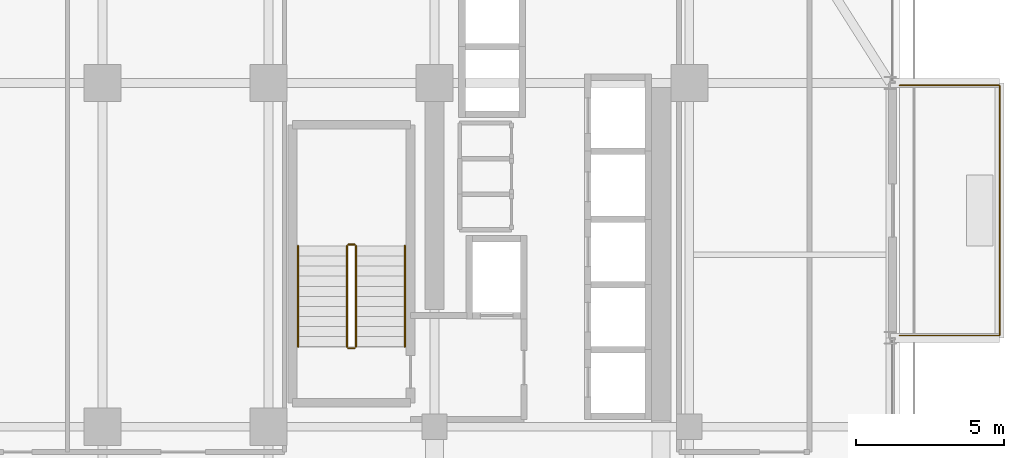
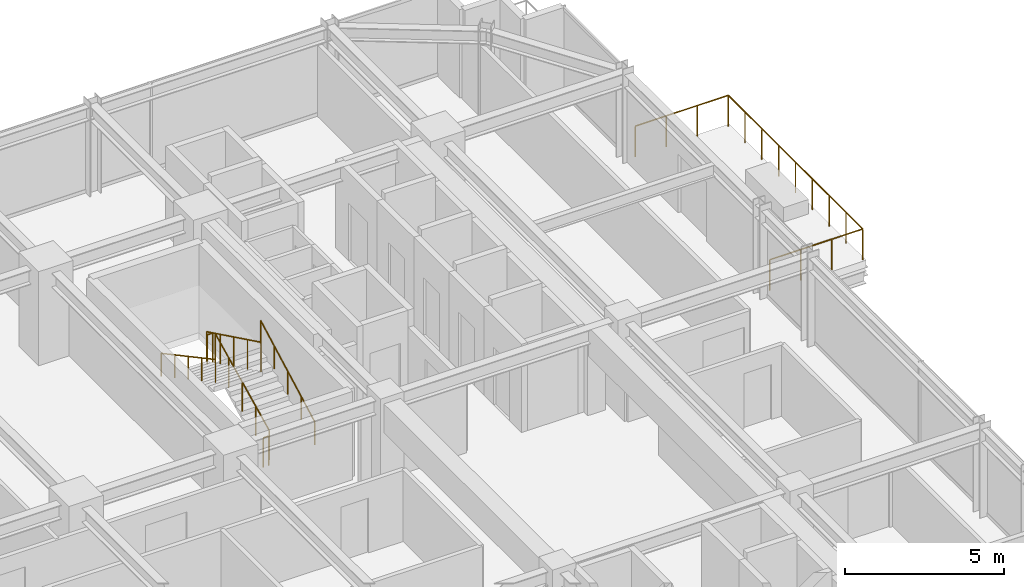
# One storey, part 33 of 34: 7 railings.
"""IFC4 building model written with IfcOpenShell, lengths in metres."""

import ifcopenshell
import ifcopenshell.guid

model = None  # the IFC model being written
_history = None  # IfcOwnerHistory: only IFC2X3 demands one
_inside = {}  # id of a spatial element -> (the spatial element, [elements in it])
_under = {}  # id of a project, library or spatial element -> (it, [spatial elements below it])
_declared = {}  # id of a project -> (the project, [libraries it declares])
_typed = {}  # id of a type object -> (the type object, [elements of that type])
_made_of = {}  # id of a material, layer set ... -> (it, [elements and type objects made of it])


def new_model(schema):
    """Start an empty IFC model of exactly this schema.

    Asked for "IFC4X3", IfcOpenShell would pick the latest addendum, in which some entities
    have other attributes; the version numbers below select the first issue.
    IFC2X3 requires an IfcOwnerHistory on every rooted entity: one is made here for all.
    """
    global model, _history
    if schema == "IFC4X3":
        model = ifcopenshell.file(schema_version=(4, 3, 0, 0))
    else:
        model = ifcopenshell.file(schema=schema)
    _inside.clear()
    _under.clear()
    _declared.clear()
    _typed.clear()
    _made_of.clear()
    _history = None
    if model.schema == "IFC2X3":
        org = make("IfcOrganization", Name="unknown")
        user = make(
            "IfcPersonAndOrganization",
            ThePerson=make("IfcPerson", FamilyName="unknown"),
            TheOrganization=org,
        )
        app = make(
            "IfcApplication",
            ApplicationDeveloper=org,
            Version="unknown",
            ApplicationFullName="unknown",
            ApplicationIdentifier="unknown",
        )
        _history = make(
            "IfcOwnerHistory",
            OwningUser=user,
            OwningApplication=app,
            ChangeAction="ADDED",
            CreationDate=0,
        )
    return model


def make(cls, **values):
    """One entity of the class cls with the attributes given. An attribute that is None is left unset."""
    return model.create_entity(
        cls, **{name: value for name, value in values.items() if value is not None}
    )


def rooted(cls, **values):
    """An entity with a GlobalId (a new one), such as an element, a storey or a relation."""
    return make(cls, GlobalId=ifcopenshell.guid.new(), OwnerHistory=_history, **values)


def si_unit(unit_type, name, prefix=None):
    """IfcSIUnit, for example si_unit("LENGTHUNIT", "METRE", prefix="MILLI")."""
    return make("IfcSIUnit", UnitType=unit_type, Prefix=prefix, Name=name)


def assignment(units):
    """IfcUnitAssignment: the units of a project."""
    return None if units is None else make("IfcUnitAssignment", Units=units)


def point(xyz):
    """IfcCartesianPoint."""
    return None if xyz is None else make("IfcCartesianPoint", Coordinates=xyz)


def direction(xyz):
    """IfcDirection."""
    return None if xyz is None else make("IfcDirection", DirectionRatios=xyz)


def frame(location, z_axis=None, x_axis=None):
    """IfcAxis2Placement3D, a coordinate frame: its origin and axes. An axis left out is left unset."""
    return make(
        "IfcAxis2Placement3D",
        Location=point(location),
        Axis=direction(z_axis),
        RefDirection=direction(x_axis),
    )


def frame_2d(location, x_axis=None):
    """IfcAxis2Placement2D, a coordinate frame in the plane: its origin and x axis."""
    return make(
        "IfcAxis2Placement2D", Location=point(location), RefDirection=direction(x_axis)
    )


def origin():
    """The frame at (0, 0, 0) with its axes left unset."""
    return frame((0.0, 0.0, 0.0))


def origin_2d():
    """The frame at (0, 0) in the plane with its x axis left unset."""
    return frame_2d((0.0, 0.0))


def place(relative_to, where):
    """IfcLocalPlacement: puts the frame where relative to a parent placement (None: the world)."""
    return make(
        "IfcLocalPlacement", PlacementRelTo=relative_to, RelativePlacement=where
    )


def context(
    kind, dimensions, precision=None, world=None, true_north=None, identifier=None
):
    """IfcGeometricRepresentationContext, for example the 3D "Model" context."""
    return make(
        "IfcGeometricRepresentationContext",
        ContextIdentifier=identifier,
        ContextType=kind,
        CoordinateSpaceDimension=dimensions,
        Precision=precision,
        WorldCoordinateSystem=world,
        TrueNorth=true_north,
    )


def subcontext(parent, identifier, kind, view, scale=None):
    """IfcGeometricRepresentationSubContext, for example "Body" below "Model"."""
    return make(
        "IfcGeometricRepresentationSubContext",
        ContextIdentifier=identifier,
        ContextType=kind,
        ParentContext=parent,
        TargetScale=scale,
        TargetView=view,
    )


def project(units=None, contexts=None):
    """IfcProject with its units and contexts."""
    return rooted(
        "IfcProject",
        Name="project",
        RepresentationContexts=contexts,
        UnitsInContext=assignment(units),
    )


def spatial(cls, under=None, at=None, **own):
    """A site, building, storey or space (cls), placed at a placement, below another one or the project."""
    s = rooted(cls, ObjectPlacement=at, **own)
    if under is not None:
        _under.setdefault(under.id(), (under, []))[1].append(s)
    return s


def profile(cls, at=None, kind="AREA", **sizes):
    """A parametric profile (cls). Its sizes go by their IFC names, for example OverallWidth=200.0."""
    return make(cls, ProfileType=kind, Position=at, **sizes)


def circle(**sizes):
    """IfcCircleProfileDef."""
    return profile("IfcCircleProfileDef", **sizes)


def extrude(swept, where, along, depth):
    """IfcExtrudedAreaSolid: the profile swept, set in the frame where, extruded along a direction by depth."""
    return make(
        "IfcExtrudedAreaSolid",
        SweptArea=swept,
        Position=where,
        ExtrudedDirection=direction(along),
        Depth=depth,
    )


def shape(context_of_items, identifier, shape_type, items):
    """IfcShapeRepresentation: the items that make up one representation, for example the "Body"."""
    return make(
        "IfcShapeRepresentation",
        ContextOfItems=context_of_items,
        RepresentationIdentifier=identifier,
        RepresentationType=shape_type,
        Items=items,
    )


def material(Name=None, Category=None):
    """IfcMaterial."""
    return make("IfcMaterial", Name=Name, Category=Category)


def made_of(thing, what):
    """Note that an element or type object is made of a material, layer set ...; save() writes the relation."""
    if what is not None:
        _made_of.setdefault(what.id(), (what, []))[1].append(thing)
    return thing


def type_object(cls, material=None, **own):
    """A type object (cls), such as IfcWallType, which elements share."""
    return made_of(rooted(cls, **own), material)


def element(
    cls,
    number,
    at=None,
    inside=None,
    cuts=None,
    type_object=None,
    material=None,
    context=None,
    identifier="Body",
    shape_type=None,
    held_by="IfcProductDefinitionShape",
    body=None,
    shapes=None,
    **own,
):
    """One element of the class cls, such as IfcWall. Its Tag is "e" and its number.

    at: its placement. inside: the storey or other place that contains it. cuts: it is an
    opening in that element (IfcRelVoidsElement). A single representation is given by context,
    identifier, shape_type and body (its items); several are given by shapes. held_by: the class
    of the entity that holds the representations. save() writes the other relations.
    """
    e = rooted(cls, Tag="e%d" % number, ObjectPlacement=at, **own)
    if body is not None:
        shapes = [shape(context, identifier, shape_type, body)]
    if shapes is not None:
        e.Representation = make(held_by, Representations=shapes)
    if inside is not None:
        _inside.setdefault(inside.id(), (inside, []))[1].append(e)
    if cuts is not None:
        rooted(
            "IfcRelVoidsElement", RelatingBuildingElement=cuts, RelatedOpeningElement=e
        )
    if type_object is not None:
        _typed.setdefault(type_object.id(), (type_object, []))[1].append(e)
    return made_of(e, material)


def aggregate(whole, parts):
    """IfcRelAggregates: a whole, such as a stair, and the parts it consists of."""
    return rooted("IfcRelAggregates", RelatingObject=whole, RelatedObjects=parts)


def save(model, path):
    """Write the relations noted so far, then the file.

    IfcRelAggregates (storeys below a building ...), IfcRelContainedInSpatialStructure (elements
    in a storey), IfcRelDefinesByType, IfcRelAssociatesMaterial and IfcRelDeclares: one each for
    every whole, place, type object, material and project.
    """
    for whole, parts in _under.values():
        aggregate(whole, parts)
    for where, things in _inside.values():
        rooted(
            "IfcRelContainedInSpatialStructure",
            RelatedElements=things,
            RelatingStructure=where,
        )
    for kind, things in _typed.values():
        rooted("IfcRelDefinesByType", RelatedObjects=things, RelatingType=kind)
    for what, things in _made_of.values():
        rooted("IfcRelAssociatesMaterial", RelatedObjects=things, RelatingMaterial=what)
    for by, libraries in _declared.values():
        rooted("IfcRelDeclares", RelatingContext=by, RelatedDefinitions=libraries)
    model.write(path)


model = new_model("IFC4")

# Units and contexts
model_context = context("Model", 3, precision=1e-05, world=origin(), true_north=direction((0.0, 1.0)))
body_context = subcontext(model_context, "Body", "Model", "MODEL_VIEW")
ifc_project = project(units=[si_unit("LENGTHUNIT", "METRE"), si_unit("AREAUNIT", "SQUARE_METRE"), si_unit("VOLUMEUNIT", "CUBIC_METRE"), si_unit("PLANEANGLEUNIT", "RADIAN"), si_unit("MASSUNIT", "GRAM", prefix="KILO")], contexts=[model_context])

# Site, building, storey
site_placement = place(None, origin())
site = spatial("IfcSite", under=ifc_project, at=site_placement, CompositionType="ELEMENT")
building_placement = place(site_placement, origin())
building = spatial("IfcBuilding", under=site, at=building_placement, Name="Nahalor Promenade Grand Hotel", CompositionType="ELEMENT")
storey_placement = place(building_placement, frame((0.0, 0.0, 88.300048828125)))
storey = spatial("IfcBuildingStorey", under=building, at=storey_placement, Name="L21", CompositionType="ELEMENT", Elevation=88.300048828125)

# Railings
ifc_material_1 = material(Name="Anodised Bronze Aluminium EN AW-6063 T6", Category="aluminium")
railing_type_1 = type_object("IfcRailingType", Name="Bronze Balcony Guardrail 1200 mm", PredefinedType="GUARDRAIL", material=ifc_material_1)
railing_1_placement = place(storey_placement, frame((24.10009765625, 8.47998046875, 0.0)))
element("IfcRailing", 1, at=railing_1_placement, inside=storey, type_object=railing_type_1, Name="L21 Balcony Guardrail 2", PredefinedType="GUARDRAIL", context=body_context, shape_type="SweptSolid", body=[
    extrude(circle(Radius=0.024048, at=origin_2d()), frame((0.0, 0.0, 1.17578125), z_axis=(1.0, 0.0, 0.0), x_axis=(0.0, 1.0, 0.0)), (0.0, 0.0, 1.0), 3.367919921875),
    extrude(circle(Radius=0.024048, at=origin_2d()), frame((3.369873046875, 0.001953125, 1.17578125), z_axis=(0.0, 1.0, 0.0), x_axis=(-1.0, 0.0, 0.0)), (0.0, 0.0, 1.0), 8.43603515625),
    extrude(circle(Radius=0.024048, at=origin_2d()), frame((3.367919921875, 8.43994140625, 1.17578125), z_axis=(-1.0, 0.0, 0.0), x_axis=(0.0, -1.0, 0.0)), (0.0, 0.0, 1.0), 3.367919921875),
    extrude(circle(Radius=0.020996, at=origin_2d()), origin(), (0.0, 0.0, 1.0), 1.14990234375),
    extrude(circle(Radius=0.020996, at=origin_2d()), frame((1.123291015625, 0.0, 0.0)), (0.0, 0.0, 1.0), 1.14990234375),
    extrude(circle(Radius=0.020996, at=origin_2d()), frame((2.24658203125, 0.0, 0.0)), (0.0, 0.0, 1.0), 1.14990234375),
    extrude(circle(Radius=0.020996, at=origin_2d()), frame((3.369873046875, 0.0, 0.0)), (0.0, 0.0, 1.0), 1.14990234375),
    extrude(circle(Radius=0.020996, at=origin_2d()), frame((3.369873046875, 1.054931640625, 0.0)), (0.0, 0.0, 1.0), 1.14990234375),
    extrude(circle(Radius=0.020996, at=origin_2d()), frame((3.369873046875, 2.10986328125, 0.0)), (0.0, 0.0, 1.0), 1.14990234375),
    extrude(circle(Radius=0.020996, at=origin_2d()), frame((3.369873046875, 3.1650390625, 0.0)), (0.0, 0.0, 1.0), 1.14990234375),
    extrude(circle(Radius=0.020996, at=origin_2d()), frame((3.369873046875, 4.219970703125, 0.0)), (0.0, 0.0, 1.0), 1.14990234375),
    extrude(circle(Radius=0.020996, at=origin_2d()), frame((3.369873046875, 5.27490234375, 0.0)), (0.0, 0.0, 1.0), 1.14990234375),
    extrude(circle(Radius=0.020996, at=origin_2d()), frame((3.369873046875, 6.330078125, 0.0)), (0.0, 0.0, 1.0), 1.14990234375),
    extrude(circle(Radius=0.020996, at=origin_2d()), frame((3.369873046875, 7.385009765625, 0.0)), (0.0, 0.0, 1.0), 1.14990234375),
    extrude(circle(Radius=0.020996, at=origin_2d()), frame((3.369873046875, 8.43994140625, 0.0)), (0.0, 0.0, 1.0), 1.14990234375),
    extrude(circle(Radius=0.020996, at=origin_2d()), frame((2.24658203125, 8.43994140625, 0.0)), (0.0, 0.0, 1.0), 1.14990234375),
    extrude(circle(Radius=0.020996, at=origin_2d()), frame((1.123291015625, 8.43994140625, 0.0)), (0.0, 0.0, 1.0), 1.14990234375),
    extrude(circle(Radius=0.020996, at=origin_2d()), frame((0.0, 8.43994140625, 0.0)), (0.0, 0.0, 1.0), 1.14990234375),
])
ifc_material_2 = material(Name="Steel S355JR", Category="steel")
railing_type_2 = type_object("IfcRailingType", Name="Steel Stair Guardrail 1150 mm", PredefinedType="GUARDRAIL", material=ifc_material_2)
railing_2_placement = place(storey_placement, frame((5.75, 8.10009765625, 0.165771484375)))
element("IfcRailing", 2, at=railing_2_placement, inside=storey, type_object=railing_type_2, Name="L21 ST1 stair guard 1", PredefinedType="GUARDRAIL", context=body_context, shape_type="SweptSolid", body=[
    extrude(circle(Radius=0.024048, at=origin_2d()), frame((0.0, 0.0, 1.1259765625), z_axis=(0.0, 0.898696488221, 0.438571114028), x_axis=(-1.0, 0.0, 0.0)), (0.0, 0.0, 1.0), 3.783203125),
    extrude(circle(Radius=0.020996, at=origin_2d()), origin(), (0.0, 0.0, 1.0), 1.099853515625),
    extrude(circle(Radius=0.020996, at=origin_2d()), frame((0.0, 0.85009765625, 0.414794921875)), (0.0, 0.0, 1.0), 1.099853515625),
    extrude(circle(Radius=0.020996, at=origin_2d()), frame((0.0, 1.699951171875, 0.82958984375)), (0.0, 0.0, 1.0), 1.099853515625),
    extrude(circle(Radius=0.020996, at=origin_2d()), frame((0.0, 2.5498046875, 1.244384765625)), (0.0, 0.0, 1.0), 1.099853515625),
    extrude(circle(Radius=0.020996, at=origin_2d()), frame((0.0, 3.39990234375, 1.6591796875)), (0.0, 0.0, 1.0), 1.099853515625),
])
railing_3_placement = place(storey_placement, frame((5.699951171875, 11.550048828125, 1.824951171875)))
element("IfcRailing", 3, at=railing_3_placement, inside=storey, type_object=railing_type_2, Name="L21 ST1 stair guard 2", PredefinedType="GUARDRAIL", context=body_context, shape_type="SweptSolid", body=[
    extrude(circle(Radius=0.024048, at=origin_2d()), frame((0.0, 0.0, 1.1259765625), z_axis=(-1.0, 0.0, 0.0), x_axis=(0.0, -1.0, 0.0)), (0.0, 0.0, 1.0), 0.199951171875),
    extrude(circle(Radius=0.020996, at=origin_2d()), origin(), (0.0, 0.0, 1.0), 1.099853515625),
    extrude(circle(Radius=0.020996, at=origin_2d()), frame((-0.199951171875, 0.0, 0.0)), (0.0, 0.0, 1.0), 1.099853515625),
])
railing_4_placement = place(storey_placement, frame((5.449951171875, 11.5, 1.990966796875)))
element("IfcRailing", 4, at=railing_4_placement, inside=storey, type_object=railing_type_2, Name="L21 ST1 stair guard 3", PredefinedType="GUARDRAIL", context=body_context, shape_type="SweptSolid", body=[
    extrude(circle(Radius=0.024048, at=origin_2d()), frame((0.0, 0.0, 1.1259765625), z_axis=(0.0, -0.898721922897, 0.438518990814), x_axis=(1.0, 0.0, 0.0)), (0.0, 0.0, 1.0), 3.782958984375),
    extrude(circle(Radius=0.020996, at=origin_2d()), origin(), (0.0, 0.0, 1.0), 1.099853515625),
    extrude(circle(Radius=0.020996, at=origin_2d()), frame((0.0, -0.85009765625, 0.414794921875)), (0.0, 0.0, 1.0), 1.099853515625),
    extrude(circle(Radius=0.020996, at=origin_2d()), frame((0.0, -1.699951171875, 0.82958984375)), (0.0, 0.0, 1.0), 1.099853515625),
    extrude(circle(Radius=0.020996, at=origin_2d()), frame((0.0, -2.5498046875, 1.244140625)), (0.0, 0.0, 1.0), 1.099853515625),
    extrude(circle(Radius=0.020996, at=origin_2d()), frame((0.0, -3.39990234375, 1.658935546875)), (0.0, 0.0, 1.0), 1.099853515625),
])
railing_5_placement = place(storey_placement, frame((5.699951171875, 8.050048828125, 0.0)))
element("IfcRailing", 5, at=railing_5_placement, inside=storey, type_object=railing_type_2, Name="L21 ST1 stair guard 4", PredefinedType="GUARDRAIL", context=body_context, shape_type="SweptSolid", body=[
    extrude(circle(Radius=0.024048, at=origin_2d()), frame((0.0, 0.0, 1.1259765625), z_axis=(-1.0, 0.0, 0.0), x_axis=(0.0, -1.0, 0.0)), (0.0, 0.0, 1.0), 0.199951171875),
    extrude(circle(Radius=0.020996, at=origin_2d()), origin(), (0.0, 0.0, 1.0), 1.099853515625),
    extrude(circle(Radius=0.020996, at=origin_2d()), frame((-0.199951171875, 0.0, 0.0)), (0.0, 0.0, 1.0), 1.099853515625),
])
railing_type_3 = type_object("IfcRailingType", Name="Steel Stair Handrail 900 mm", PredefinedType="HANDRAIL", material=ifc_material_2)
railing_6_placement = place(storey_placement, frame((7.39990234375, 8.10009765625, 0.165771484375)))
element("IfcRailing", 6, at=railing_6_placement, inside=storey, type_object=railing_type_3, Name="L21 ST1 stair handrail 1", PredefinedType="HANDRAIL", context=body_context, shape_type="SweptSolid", body=[
    extrude(circle(Radius=0.024048, at=origin_2d()), frame((0.0, 0.0, 0.8759765625), z_axis=(0.0, 0.881067672671, 0.472990228413), x_axis=(-1.0, 0.0, 0.0)), (0.0, 0.0, 1.0), 3.85888671875),
    extrude(circle(Radius=0.020996, at=origin_2d()), origin(), (0.0, 0.0, 1.0), 0.849853515625),
    extrude(circle(Radius=0.020996, at=origin_2d()), frame((0.0, 0.85009765625, 0.456298828125)), (0.0, 0.0, 1.0), 0.849853515625),
    extrude(circle(Radius=0.020996, at=origin_2d()), frame((0.0, 1.699951171875, 0.91259765625)), (0.0, 0.0, 1.0), 0.849853515625),
    extrude(circle(Radius=0.020996, at=origin_2d()), frame((0.0, 2.5498046875, 1.368896484375)), (0.0, 0.0, 1.0), 0.849853515625),
    extrude(circle(Radius=0.020996, at=origin_2d()), frame((0.0, 3.39990234375, 1.8251953125)), (0.0, 0.0, 1.0), 0.849853515625),
])
railing_7_placement = place(storey_placement, frame((3.800048828125, 11.5, 1.990966796875)))
element("IfcRailing", 7, at=railing_7_placement, inside=storey, type_object=railing_type_3, Name="L21 ST1 stair handrail 2", PredefinedType="HANDRAIL", context=body_context, shape_type="SweptSolid", body=[
    extrude(circle(Radius=0.024048, at=origin_2d()), frame((0.0, 0.0, 0.8759765625), z_axis=(0.0, -0.881094038095, 0.47294111265), x_axis=(1.0, 0.0, 0.0)), (0.0, 0.0, 1.0), 3.858642578125),
    extrude(circle(Radius=0.020996, at=origin_2d()), origin(), (0.0, 0.0, 1.0), 0.849853515625),
    extrude(circle(Radius=0.020996, at=origin_2d()), frame((0.0, -0.85009765625, 0.456298828125)), (0.0, 0.0, 1.0), 0.849853515625),
    extrude(circle(Radius=0.020996, at=origin_2d()), frame((0.0, -1.699951171875, 0.91259765625)), (0.0, 0.0, 1.0), 0.849853515625),
    extrude(circle(Radius=0.020996, at=origin_2d()), frame((0.0, -2.5498046875, 1.36865234375)), (0.0, 0.0, 1.0), 0.849853515625),
    extrude(circle(Radius=0.020996, at=origin_2d()), frame((0.0, -3.39990234375, 1.824951171875)), (0.0, 0.0, 1.0), 0.849853515625),
])

save(model, "model.ifc")
